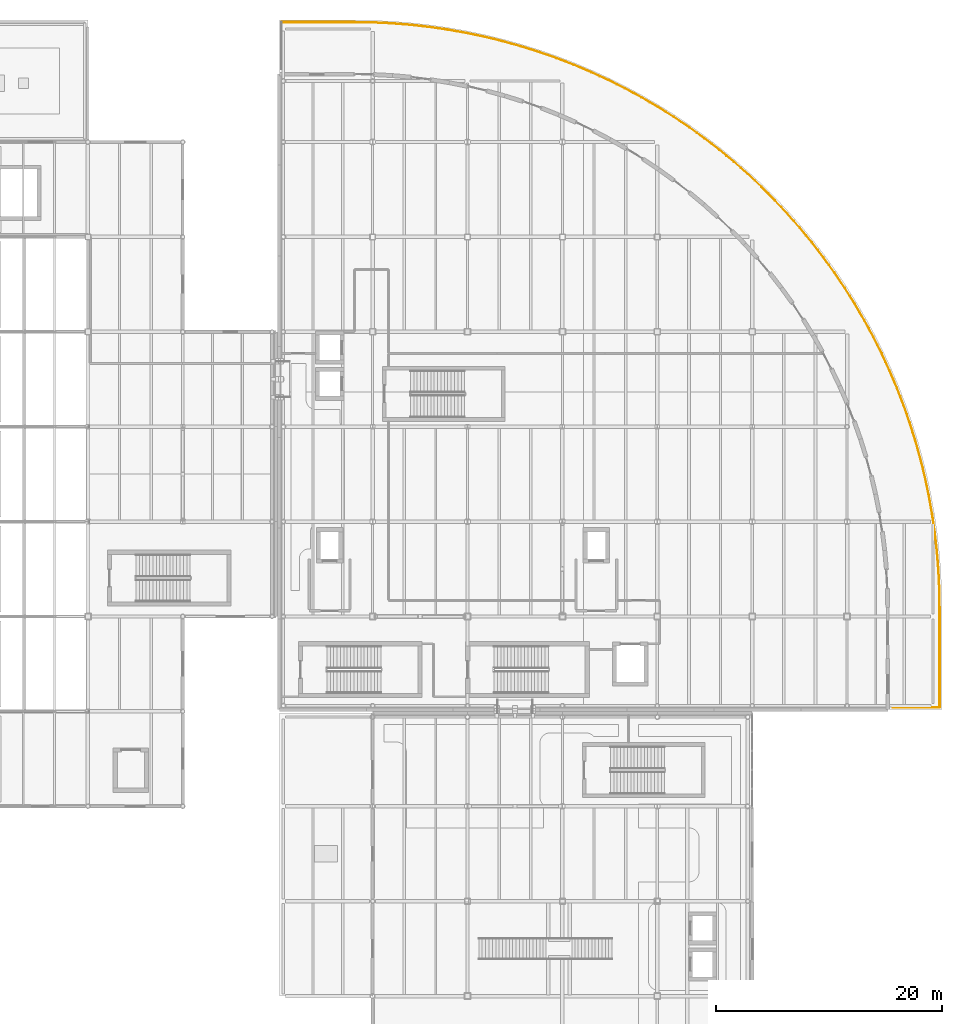
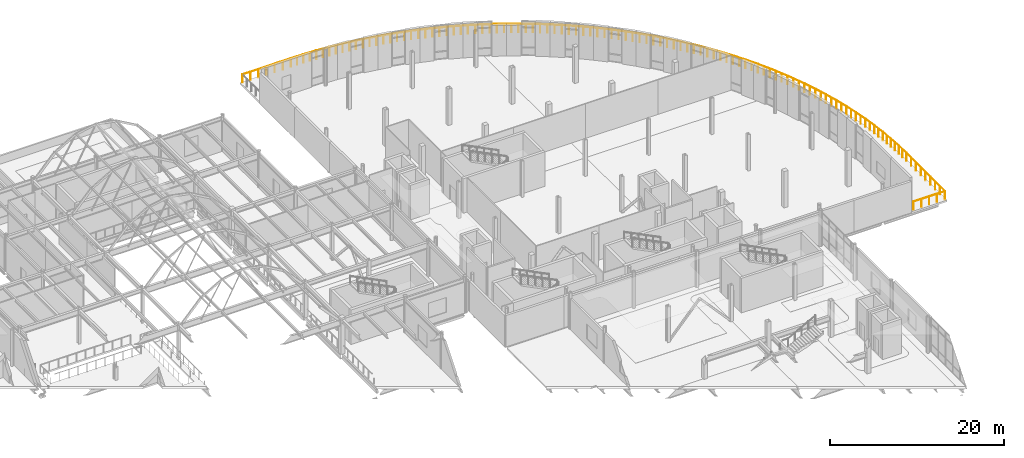
# One storey, part 101 of 103: 1 railing.
"""IFC4 building model written with IfcOpenShell, lengths in metres."""

from ifc_helpers import new_model, si_unit, direction, frame, origin, origin_2d, place, context, subcontext, project, spatial, circle, extrude, material, type_object, element, save


model = new_model("IFC4")

# Units and contexts
model_context = context("Model", 3, precision=1e-05, world=origin(), true_north=direction((0.0, 1.0)))
body_context = subcontext(model_context, "Body", "Model", "MODEL_VIEW")
ifc_project = project(units=[si_unit("LENGTHUNIT", "METRE"), si_unit("AREAUNIT", "SQUARE_METRE"), si_unit("VOLUMEUNIT", "CUBIC_METRE"), si_unit("PLANEANGLEUNIT", "RADIAN"), si_unit("MASSUNIT", "GRAM", prefix="KILO"), si_unit("THERMODYNAMICTEMPERATUREUNIT", "KELVIN")], contexts=[model_context])

# Site, building, storey
site_placement = place(None, origin())
site = spatial("IfcSite", under=ifc_project, at=site_placement, CompositionType="ELEMENT")
building_placement = place(site_placement, origin())
building = spatial("IfcBuilding", under=site, at=building_placement, Name="Lustrewick Department Store", CompositionType="ELEMENT")
storey_placement = place(building_placement, frame((0.0, 0.0, 16.5)))
storey = spatial("IfcBuildingStorey", under=building, at=storey_placement, Name="L04", CompositionType="ELEMENT", Elevation=16.5)

# Railing
ifc_material = material(Name="Laminated glass and anodized aluminium guardrail", Category="aluminium")
railing_type = type_object("IfcRailingType", Name="RL-EXT", PredefinedType="GUARDRAIL", material=ifc_material)
railing_placement = place(storey_placement, frame((109.550048828125, 111.39990234375, 0.0)))
element("IfcRailing", 1, at=railing_placement, inside=storey, type_object=railing_type, Name="L04 Terrace Perimeter Guardrail 0012", PredefinedType="GUARDRAIL", context=body_context, shape_type="SweptSolid", body=[
    extrude(circle(Radius=0.02392578125, at=origin_2d()), frame((0.0, 0.0, 1.17578125), z_axis=(1.0, 0.0, 0.0), x_axis=(0.0, 1.0, 0.0)), (0.0, 0.0, 1.0), 6.4482421875),
    extrude(circle(Radius=0.02392578125, at=origin_2d()), frame((6.4482421875, 0.0, 1.17578125), z_axis=(0.999871855367, -0.016008524124, 0.0), x_axis=(0.016008524124, 0.999871855367, 0.0)), (0.0, 0.0, 1.0), 1.662353515625),
    extrude(circle(Radius=0.02392578125, at=origin_2d()), frame((8.1103515625, -0.026611328125, 1.17578125), z_axis=(0.99885043747, -0.047935410366, 0.0), x_axis=(0.047935410366, 0.99885043747, 0.0)), (0.0, 0.0, 1.0), 1.660400390625),
    extrude(circle(Radius=0.02392578125, at=origin_2d()), frame((9.768798828125, -0.106201171875, 1.17578125), z_axis=(0.996784820812, -0.080125033531, 0.0), x_axis=(0.080125033531, 0.996784820812, 0.0)), (0.0, 0.0, 1.0), 1.66064453125),
    extrude(circle(Radius=0.02392578125, at=origin_2d()), frame((11.424072265625, -0.2392578125, 1.17578125), z_axis=(0.993703106081, -0.112045245166, 0.0), x_axis=(0.112045245166, 0.993703106081, 0.0)), (0.0, 0.0, 1.0), 1.660400390625),
    extrude(circle(Radius=0.02392578125, at=origin_2d()), frame((13.073974609375, -0.42529296875, 1.17578125), z_axis=(0.989629422316, -0.14364402698, 0.0), x_axis=(0.14364402698, 0.989629422316, 0.0)), (0.0, 0.0, 1.0), 1.66064453125),
    extrude(circle(Radius=0.02392578125, at=origin_2d()), frame((14.71728515625, -0.663818359375, 1.17578125), z_axis=(0.984496560695, -0.175403882454, 0.0), x_axis=(0.175403882454, 0.984496560695, 0.0)), (0.0, 0.0, 1.0), 1.660400390625),
    extrude(circle(Radius=0.02392578125, at=origin_2d()), frame((16.35205078125, -0.955078125, 1.17578125), z_axis=(0.978366875449, -0.206877396116, 0.0), x_axis=(0.206877396116, 0.978366875449, 0.0)), (0.0, 0.0, 1.0), 1.660400390625),
    extrude(circle(Radius=0.02392578125, at=origin_2d()), frame((17.9765625, -1.298583984375, 1.17578125), z_axis=(0.971222395331, -0.238174429373, 0.0), x_axis=(0.238174429373, 0.971222395331, 0.0)), (0.0, 0.0, 1.0), 1.66064453125),
    extrude(circle(Radius=0.02392578125, at=origin_2d()), frame((19.58935546875, -1.694091796875, 1.17578125), z_axis=(0.963078462978, -0.269220864994, 0.0), x_axis=(0.269220864994, 0.963078462978, 0.0)), (0.0, 0.0, 1.0), 1.660400390625),
    extrude(circle(Radius=0.02392578125, at=origin_2d()), frame((21.1884765625, -2.14111328125, 1.17578125), z_axis=(0.953997321832, -0.299815126266, 0.0), x_axis=(0.299815126266, 0.953997321832, 0.0)), (0.0, 0.0, 1.0), 1.660400390625),
    extrude(circle(Radius=0.02392578125, at=origin_2d()), frame((22.7724609375, -2.638916015625, 1.17578125), z_axis=(0.943904190441, -0.33021944108, 0.0), x_axis=(0.33021944108, 0.943904190441, 0.0)), (0.0, 0.0, 1.0), 1.66064453125),
    extrude(circle(Radius=0.02392578125, at=origin_2d()), frame((24.33984375, -3.187255859375, 1.17578125), z_axis=(0.932802628048, -0.360387648383, 0.0), x_axis=(0.360387648383, 0.932802628048, 0.0)), (0.0, 0.0, 1.0), 1.660400390625),
    extrude(circle(Radius=0.02392578125, at=origin_2d()), frame((25.888671875, -3.78564453125, 1.17578125), z_axis=(0.920794682849, -0.39004762791, 0.0), x_axis=(0.39004762791, 0.920794682849, 0.0)), (0.0, 0.0, 1.0), 1.66064453125),
    extrude(circle(Radius=0.02392578125, at=origin_2d()), frame((27.417724609375, -4.433349609375, 1.17578125), z_axis=(0.907821620466, -0.419356537345, 0.0), x_axis=(0.419356537345, 0.907821620466, 0.0)), (0.0, 0.0, 1.0), 1.660400390625),
    extrude(circle(Radius=0.02392578125, at=origin_2d()), frame((28.925048828125, -5.129638671875, 1.17578125), z_axis=(0.893897283304, -0.448271844868, 0.0), x_axis=(0.448271844868, 0.893897283304, 0.0)), (0.0, 0.0, 1.0), 1.66064453125),
    extrude(circle(Radius=0.02392578125, at=origin_2d()), frame((30.409423828125, -5.8740234375, 1.17578125), z_axis=(0.879084069243, -0.476666759071, 0.0), x_axis=(0.476666759071, 0.879084069243, 0.0)), (0.0, 0.0, 1.0), 1.660400390625),
    extrude(circle(Radius=0.02392578125, at=origin_2d()), frame((31.869140625, -6.66552734375, 1.17578125), z_axis=(0.863287924687, -0.504711758422, 0.0), x_axis=(0.504711758422, 0.863287924687, 0.0)), (0.0, 0.0, 1.0), 1.66064453125),
    extrude(circle(Radius=0.02392578125, at=origin_2d()), frame((33.302734375, -7.503662109375, 1.17578125), z_axis=(0.846765232428, -0.531966766961, 0.0), x_axis=(0.531966766961, 0.846765232428, 0.0)), (0.0, 0.0, 1.0), 1.660400390625),
    extrude(circle(Radius=0.02392578125, at=origin_2d()), frame((34.708740234375, -8.386962890625, 1.17578125), z_axis=(0.829257539656, -0.558866650396, 0.0), x_axis=(0.558866650396, 0.829257539656, 0.0)), (0.0, 0.0, 1.0), 1.660400390625),
    extrude(circle(Radius=0.02392578125, at=origin_2d()), frame((36.085693359375, -9.31494140625, 1.17578125), z_axis=(0.810892418643, -0.585195254071, 0.0), x_axis=(0.585195254071, 0.810892418643, 0.0)), (0.0, 0.0, 1.0), 1.660400390625),
    extrude(circle(Radius=0.02392578125, at=origin_2d()), frame((37.43212890625, -10.28662109375, 1.17578125), z_axis=(0.791721305359, -0.610882455667, 0.0), x_axis=(0.610882455667, 0.791721305359, 0.0)), (0.0, 0.0, 1.0), 1.66064453125),
    extrude(circle(Radius=0.02392578125, at=origin_2d()), frame((38.746826171875, -11.301025390625, 1.17578125), z_axis=(0.771705219783, -0.635980387874, 0.0), x_axis=(0.635980387874, 0.771705219783, 0.0)), (0.0, 0.0, 1.0), 1.660400390625),
    extrude(circle(Radius=0.02392578125, at=origin_2d()), frame((40.028076171875, -12.35693359375, 1.17578125), z_axis=(0.750935118811, -0.66037598937, 0.0), x_axis=(0.66037598937, 0.750935118811, 0.0)), (0.0, 0.0, 1.0), 1.66064453125),
    extrude(circle(Radius=0.02392578125, at=origin_2d()), frame((41.275146484375, -13.45361328125, 1.17578125), z_axis=(0.729459247465, -0.684024273172, 0.0), x_axis=(0.684024273172, 0.729459247465, 0.0)), (0.0, 0.0, 1.0), 1.660400390625),
    extrude(circle(Radius=0.02392578125, at=origin_2d()), frame((42.486328125, -14.58935546875, 1.17578125), z_axis=(0.707033265901, -0.70718028883, 0.0), x_axis=(0.70718028883, 0.707033265901, 0.0)), (0.0, 0.0, 1.0), 1.66064453125),
    extrude(circle(Radius=0.02392578125, at=origin_2d()), frame((43.660400390625, -15.763671875, 1.17578125), z_axis=(0.684102502276, -0.729385883041, 0.0), x_axis=(0.729385883041, 0.684102502276, 0.0)), (0.0, 0.0, 1.0), 1.66064453125),
    extrude(circle(Radius=0.02392578125, at=origin_2d()), frame((44.79638671875, -16.974853515625, 1.17578125), z_axis=(0.660365989857, -0.750943912313, 0.0), x_axis=(0.750943912313, 0.660365989857, 0.0)), (0.0, 0.0, 1.0), 1.660400390625),
    extrude(circle(Radius=0.02392578125, at=origin_2d()), frame((45.892822265625, -18.2216796875, 1.17578125), z_axis=(0.635908223936, -0.771764686113, 0.0), x_axis=(0.771764686113, 0.635908223936, 0.0)), (0.0, 0.0, 1.0), 1.660400390625),
    extrude(circle(Radius=0.02392578125, at=origin_2d()), frame((46.94873046875, -19.503173828125, 1.17578125), z_axis=(0.610882455667, -0.791721305359, 0.0), x_axis=(0.791721305359, 0.610882455667, 0.0)), (0.0, 0.0, 1.0), 1.66064453125),
    extrude(circle(Radius=0.02392578125, at=origin_2d()), frame((47.963134765625, -20.81787109375, 1.17578125), z_axis=(0.585195254071, -0.810892418643, 0.0), x_axis=(0.810892418643, 0.585195254071, 0.0)), (0.0, 0.0, 1.0), 1.660400390625),
    extrude(circle(Radius=0.02392578125, at=origin_2d()), frame((48.934814453125, -22.164306640625, 1.17578125), z_axis=(0.558967746787, -0.829189398179, 0.0), x_axis=(0.829189398179, 0.558967746787, 0.0)), (0.0, 0.0, 1.0), 1.66064453125),
    extrude(circle(Radius=0.02392578125, at=origin_2d()), frame((49.863037109375, -23.541259765625, 1.17578125), z_axis=(0.531966766961, -0.846765232428, 0.0), x_axis=(0.846765232428, 0.531966766961, 0.0)), (0.0, 0.0, 1.0), 1.660400390625),
    extrude(circle(Radius=0.02392578125, at=origin_2d()), frame((50.746337890625, -24.947265625, 1.17578125), z_axis=(0.504602178928, -0.863351979798, 0.0), x_axis=(0.863351979798, 0.504602178928, 0.0)), (0.0, 0.0, 1.0), 1.660400390625),
    extrude(circle(Radius=0.02392578125, at=origin_2d()), frame((51.584228515625, -26.380859375, 1.17578125), z_axis=(0.476728375286, -0.879050656218, 0.0), x_axis=(0.879050656218, 0.476728375286, 0.0)), (0.0, 0.0, 1.0), 1.660400390625),
    extrude(circle(Radius=0.02392578125, at=origin_2d()), frame((52.375732421875, -27.84033203125, 1.17578125), z_axis=(0.448271844868, -0.893897283304, 0.0), x_axis=(0.893897283304, 0.448271844868, 0.0)), (0.0, 0.0, 1.0), 1.66064453125),
    extrude(circle(Radius=0.02392578125, at=origin_2d()), frame((53.1201171875, -29.32470703125, 1.17578125), z_axis=(0.419421726597, -0.907791504289, 0.0), x_axis=(0.907791504289, 0.419421726597, 0.0)), (0.0, 0.0, 1.0), 1.66064453125),
    extrude(circle(Radius=0.02392578125, at=origin_2d()), frame((53.816650390625, -30.832275390625, 1.17578125), z_axis=(0.390100437689, -0.920772310897, 0.0), x_axis=(0.920772310897, 0.390100437689, 0.0)), (0.0, 0.0, 1.0), 1.660400390625),
    extrude(circle(Radius=0.02392578125, at=origin_2d()), frame((54.46435546875, -32.361083984375, 1.17578125), z_axis=(0.360387648383, -0.932802628048, 0.0), x_axis=(0.932802628048, 0.360387648383, 0.0)), (0.0, 0.0, 1.0), 1.660400390625),
    extrude(circle(Radius=0.02392578125, at=origin_2d()), frame((55.062744140625, -33.909912109375, 1.17578125), z_axis=(0.33021944108, -0.943904190441, 0.0), x_axis=(0.943904190441, 0.33021944108, 0.0)), (0.0, 0.0, 1.0), 1.66064453125),
    extrude(circle(Radius=0.02392578125, at=origin_2d()), frame((55.611083984375, -35.477294921875, 1.17578125), z_axis=(0.299773074998, -0.954010536371, 0.0), x_axis=(0.954010536371, 0.299773074998, 0.0)), (0.0, 0.0, 1.0), 1.66064453125),
    extrude(circle(Radius=0.02392578125, at=origin_2d()), frame((56.10888671875, -37.0615234375, 1.17578125), z_axis=(0.269084479087, -0.963116578154, 0.0), x_axis=(0.963116578154, 0.269084479087, 0.0)), (0.0, 0.0, 1.0), 1.660400390625),
    extrude(circle(Radius=0.02392578125, at=origin_2d()), frame((56.5556640625, -38.66064453125, 1.17578125), z_axis=(0.23820844309, -0.971214053461, 0.0), x_axis=(0.971214053461, 0.23820844309, 0.0)), (0.0, 0.0, 1.0), 1.660400390625),
    extrude(circle(Radius=0.02392578125, at=origin_2d()), frame((56.951171875, -40.273193359375, 1.17578125), z_axis=(0.206847640246, -0.978373166907, 0.0), x_axis=(0.978373166907, 0.206847640246, 0.0)), (0.0, 0.0, 1.0), 1.66064453125),
    extrude(circle(Radius=0.02392578125, at=origin_2d()), frame((57.294677734375, -41.89794921875, 1.17578125), z_axis=(0.175403882454, -0.984496560695, 0.0), x_axis=(0.984496560695, 0.175403882454, 0.0)), (0.0, 0.0, 1.0), 1.660400390625),
    extrude(circle(Radius=0.02392578125, at=origin_2d()), frame((57.5859375, -43.53271484375, 1.17578125), z_axis=(0.143808937775, -0.989605471598, 0.0), x_axis=(0.989605471598, 0.143808937775, 0.0)), (0.0, 0.0, 1.0), 1.660400390625),
    extrude(circle(Radius=0.02392578125, at=origin_2d()), frame((57.82470703125, -45.17578125, 1.17578125), z_axis=(0.111883698097, -0.993721308064, 0.0), x_axis=(0.993721308064, 0.111883698097, 0.0)), (0.0, 0.0, 1.0), 1.66064453125),
    extrude(circle(Radius=0.02392578125, at=origin_2d()), frame((58.010498046875, -46.825927734375, 1.17578125), z_axis=(0.080136777227, -0.996783876743, 0.0), x_axis=(0.996783876743, 0.080136777227, 0.0)), (0.0, 0.0, 1.0), 1.660400390625),
    extrude(circle(Radius=0.02392578125, at=origin_2d()), frame((58.1435546875, -48.48095703125, 1.17578125), z_axis=(0.048075051292, -0.998843726237, 0.0), x_axis=(0.998843726237, 0.048075051292, 0.0)), (0.0, 0.0, 1.0), 1.66064453125),
    extrude(circle(Radius=0.02392578125, at=origin_2d()), frame((58.223388671875, -50.1396484375, 1.17578125), z_axis=(0.016010875295, -0.999871817721, 0.0), x_axis=(0.999871817721, 0.016010875295, 0.0)), (0.0, 0.0, 1.0), 1.662109375),
    extrude(circle(Radius=0.02392578125, at=origin_2d()), frame((58.25, -51.801513671875, 1.17578125), z_axis=(0.0, -1.0, 0.0), x_axis=(1.0, 0.0, 0.0)), (0.0, 0.0, 1.0), 8.848388671875),
    extrude(circle(Radius=0.02392578125, at=origin_2d()), frame((58.25, -60.64990234375, 1.17578125), z_axis=(-1.0, 0.0, 0.0), x_axis=(0.0, -1.0, 0.0)), (0.0, 0.0, 1.0), 4.150146484375),
    extrude(circle(Radius=0.02099609375, at=origin_2d()), origin(), (0.0, 0.0, 1.0), 1.15185546875),
    extrude(circle(Radius=0.02099609375, at=origin_2d()), frame((1.07470703125, 0.0, 0.0)), (0.0, 0.0, 1.0), 1.15185546875),
    extrude(circle(Radius=0.02099609375, at=origin_2d()), frame((2.1494140625, 0.0, 0.0)), (0.0, 0.0, 1.0), 1.15185546875),
    extrude(circle(Radius=0.02099609375, at=origin_2d()), frame((3.22412109375, 0.0, 0.0)), (0.0, 0.0, 1.0), 1.15185546875),
    extrude(circle(Radius=0.02099609375, at=origin_2d()), frame((4.298828125, 0.0, 0.0)), (0.0, 0.0, 1.0), 1.15185546875),
    extrude(circle(Radius=0.02099609375, at=origin_2d()), frame((5.37353515625, 0.0, 0.0)), (0.0, 0.0, 1.0), 1.15185546875),
    extrude(circle(Radius=0.02099609375, at=origin_2d()), frame((6.4482421875, 0.0, 0.0)), (0.0, 0.0, 1.0), 1.15185546875),
    extrude(circle(Radius=0.02099609375, at=origin_2d()), frame((7.279296875, -0.01318359375, 0.0)), (0.0, 0.0, 1.0), 1.15185546875),
    extrude(circle(Radius=0.02099609375, at=origin_2d()), frame((8.1103515625, -0.026611328125, 0.0)), (0.0, 0.0, 1.0), 1.15185546875),
    extrude(circle(Radius=0.02099609375, at=origin_2d()), frame((8.939453125, -0.06640625, 0.0)), (0.0, 0.0, 1.0), 1.15185546875),
    extrude(circle(Radius=0.02099609375, at=origin_2d()), frame((9.768798828125, -0.106201171875, 0.0)), (0.0, 0.0, 1.0), 1.15185546875),
    extrude(circle(Radius=0.02099609375, at=origin_2d()), frame((10.596435546875, -0.1728515625, 0.0)), (0.0, 0.0, 1.0), 1.15185546875),
    extrude(circle(Radius=0.02099609375, at=origin_2d()), frame((11.424072265625, -0.2392578125, 0.0)), (0.0, 0.0, 1.0), 1.15185546875),
    extrude(circle(Radius=0.02099609375, at=origin_2d()), frame((12.2490234375, -0.332275390625, 0.0)), (0.0, 0.0, 1.0), 1.15185546875),
    extrude(circle(Radius=0.02099609375, at=origin_2d()), frame((13.073974609375, -0.42529296875, 0.0)), (0.0, 0.0, 1.0), 1.15185546875),
    extrude(circle(Radius=0.02099609375, at=origin_2d()), frame((13.8955078125, -0.54443359375, 0.0)), (0.0, 0.0, 1.0), 1.15185546875),
    extrude(circle(Radius=0.02099609375, at=origin_2d()), frame((14.71728515625, -0.663818359375, 0.0)), (0.0, 0.0, 1.0), 1.15185546875),
    extrude(circle(Radius=0.02099609375, at=origin_2d()), frame((15.53466796875, -0.8095703125, 0.0)), (0.0, 0.0, 1.0), 1.15185546875),
    extrude(circle(Radius=0.02099609375, at=origin_2d()), frame((16.35205078125, -0.955078125, 0.0)), (0.0, 0.0, 1.0), 1.15185546875),
    extrude(circle(Radius=0.02099609375, at=origin_2d()), frame((17.164306640625, -1.126953125, 0.0)), (0.0, 0.0, 1.0), 1.15185546875),
    extrude(circle(Radius=0.02099609375, at=origin_2d()), frame((17.9765625, -1.298583984375, 0.0)), (0.0, 0.0, 1.0), 1.15185546875),
    extrude(circle(Radius=0.02099609375, at=origin_2d()), frame((18.782958984375, -1.496337890625, 0.0)), (0.0, 0.0, 1.0), 1.15185546875),
    extrude(circle(Radius=0.02099609375, at=origin_2d()), frame((19.58935546875, -1.694091796875, 0.0)), (0.0, 0.0, 1.0), 1.15185546875),
    extrude(circle(Radius=0.02099609375, at=origin_2d()), frame((20.388916015625, -1.91748046875, 0.0)), (0.0, 0.0, 1.0), 1.15185546875),
    extrude(circle(Radius=0.02099609375, at=origin_2d()), frame((21.1884765625, -2.14111328125, 0.0)), (0.0, 0.0, 1.0), 1.15185546875),
    extrude(circle(Radius=0.02099609375, at=origin_2d()), frame((21.98046875, -2.39013671875, 0.0)), (0.0, 0.0, 1.0), 1.15185546875),
    extrude(circle(Radius=0.02099609375, at=origin_2d()), frame((22.7724609375, -2.638916015625, 0.0)), (0.0, 0.0, 1.0), 1.15185546875),
    extrude(circle(Radius=0.02099609375, at=origin_2d()), frame((23.55615234375, -2.9130859375, 0.0)), (0.0, 0.0, 1.0), 1.15185546875),
    extrude(circle(Radius=0.02099609375, at=origin_2d()), frame((24.33984375, -3.187255859375, 0.0)), (0.0, 0.0, 1.0), 1.15185546875),
    extrude(circle(Radius=0.02099609375, at=origin_2d()), frame((25.1142578125, -3.486328125, 0.0)), (0.0, 0.0, 1.0), 1.15185546875),
    extrude(circle(Radius=0.02099609375, at=origin_2d()), frame((25.888671875, -3.78564453125, 0.0)), (0.0, 0.0, 1.0), 1.15185546875),
    extrude(circle(Radius=0.02099609375, at=origin_2d()), frame((26.6533203125, -4.109375, 0.0)), (0.0, 0.0, 1.0), 1.15185546875),
    extrude(circle(Radius=0.02099609375, at=origin_2d()), frame((27.417724609375, -4.433349609375, 0.0)), (0.0, 0.0, 1.0), 1.15185546875),
    extrude(circle(Radius=0.02099609375, at=origin_2d()), frame((28.17138671875, -4.781494140625, 0.0)), (0.0, 0.0, 1.0), 1.15185546875),
    extrude(circle(Radius=0.02099609375, at=origin_2d()), frame((28.925048828125, -5.129638671875, 0.0)), (0.0, 0.0, 1.0), 1.15185546875),
    extrude(circle(Radius=0.02099609375, at=origin_2d()), frame((29.667236328125, -5.501953125, 0.0)), (0.0, 0.0, 1.0), 1.15185546875),
    extrude(circle(Radius=0.02099609375, at=origin_2d()), frame((30.409423828125, -5.8740234375, 0.0)), (0.0, 0.0, 1.0), 1.15185546875),
    extrude(circle(Radius=0.02099609375, at=origin_2d()), frame((31.13916015625, -6.269775390625, 0.0)), (0.0, 0.0, 1.0), 1.15185546875),
    extrude(circle(Radius=0.02099609375, at=origin_2d()), frame((31.869140625, -6.66552734375, 0.0)), (0.0, 0.0, 1.0), 1.15185546875),
    extrude(circle(Radius=0.02099609375, at=origin_2d()), frame((32.5859375, -7.08447265625, 0.0)), (0.0, 0.0, 1.0), 1.15185546875),
    extrude(circle(Radius=0.02099609375, at=origin_2d()), frame((33.302734375, -7.503662109375, 0.0)), (0.0, 0.0, 1.0), 1.15185546875),
    extrude(circle(Radius=0.02099609375, at=origin_2d()), frame((34.005859375, -7.9453125, 0.0)), (0.0, 0.0, 1.0), 1.15185546875),
    extrude(circle(Radius=0.02099609375, at=origin_2d()), frame((34.708740234375, -8.386962890625, 0.0)), (0.0, 0.0, 1.0), 1.15185546875),
    extrude(circle(Radius=0.02099609375, at=origin_2d()), frame((35.397216796875, -8.85107421875, 0.0)), (0.0, 0.0, 1.0), 1.15185546875),
    extrude(circle(Radius=0.02099609375, at=origin_2d()), frame((36.085693359375, -9.31494140625, 0.0)), (0.0, 0.0, 1.0), 1.15185546875),
    extrude(circle(Radius=0.02099609375, at=origin_2d()), frame((36.7587890625, -9.80078125, 0.0)), (0.0, 0.0, 1.0), 1.15185546875),
    extrude(circle(Radius=0.02099609375, at=origin_2d()), frame((37.43212890625, -10.28662109375, 0.0)), (0.0, 0.0, 1.0), 1.15185546875),
    extrude(circle(Radius=0.02099609375, at=origin_2d()), frame((38.08935546875, -10.7939453125, 0.0)), (0.0, 0.0, 1.0), 1.15185546875),
    extrude(circle(Radius=0.02099609375, at=origin_2d()), frame((38.746826171875, -11.301025390625, 0.0)), (0.0, 0.0, 1.0), 1.15185546875),
    extrude(circle(Radius=0.02099609375, at=origin_2d()), frame((39.387451171875, -11.8291015625, 0.0)), (0.0, 0.0, 1.0), 1.15185546875),
    extrude(circle(Radius=0.02099609375, at=origin_2d()), frame((40.028076171875, -12.35693359375, 0.0)), (0.0, 0.0, 1.0), 1.15185546875),
    extrude(circle(Radius=0.02099609375, at=origin_2d()), frame((40.651611328125, -12.9052734375, 0.0)), (0.0, 0.0, 1.0), 1.15185546875),
    extrude(circle(Radius=0.02099609375, at=origin_2d()), frame((41.275146484375, -13.45361328125, 0.0)), (0.0, 0.0, 1.0), 1.15185546875),
    extrude(circle(Radius=0.02099609375, at=origin_2d()), frame((41.880859375, -14.021484375, 0.0)), (0.0, 0.0, 1.0), 1.15185546875),
    extrude(circle(Radius=0.02099609375, at=origin_2d()), frame((42.486328125, -14.58935546875, 0.0)), (0.0, 0.0, 1.0), 1.15185546875),
    extrude(circle(Radius=0.02099609375, at=origin_2d()), frame((43.0732421875, -15.176513671875, 0.0)), (0.0, 0.0, 1.0), 1.15185546875),
    extrude(circle(Radius=0.02099609375, at=origin_2d()), frame((43.660400390625, -15.763671875, 0.0)), (0.0, 0.0, 1.0), 1.15185546875),
    extrude(circle(Radius=0.02099609375, at=origin_2d()), frame((44.228515625, -16.369140625, 0.0)), (0.0, 0.0, 1.0), 1.15185546875),
    extrude(circle(Radius=0.02099609375, at=origin_2d()), frame((44.79638671875, -16.974853515625, 0.0)), (0.0, 0.0, 1.0), 1.15185546875),
    extrude(circle(Radius=0.02099609375, at=origin_2d()), frame((45.3447265625, -17.59814453125, 0.0)), (0.0, 0.0, 1.0), 1.15185546875),
    extrude(circle(Radius=0.02099609375, at=origin_2d()), frame((45.892822265625, -18.2216796875, 0.0)), (0.0, 0.0, 1.0), 1.15185546875),
    extrude(circle(Radius=0.02099609375, at=origin_2d()), frame((46.4208984375, -18.8623046875, 0.0)), (0.0, 0.0, 1.0), 1.15185546875),
    extrude(circle(Radius=0.02099609375, at=origin_2d()), frame((46.94873046875, -19.503173828125, 0.0)), (0.0, 0.0, 1.0), 1.15185546875),
    extrude(circle(Radius=0.02099609375, at=origin_2d()), frame((47.4560546875, -20.16064453125, 0.0)), (0.0, 0.0, 1.0), 1.15185546875),
    extrude(circle(Radius=0.02099609375, at=origin_2d()), frame((47.963134765625, -20.81787109375, 0.0)), (0.0, 0.0, 1.0), 1.15185546875),
    extrude(circle(Radius=0.02099609375, at=origin_2d()), frame((48.448974609375, -21.4912109375, 0.0)), (0.0, 0.0, 1.0), 1.15185546875),
    extrude(circle(Radius=0.02099609375, at=origin_2d()), frame((48.934814453125, -22.164306640625, 0.0)), (0.0, 0.0, 1.0), 1.15185546875),
    extrude(circle(Radius=0.02099609375, at=origin_2d()), frame((49.39892578125, -22.852783203125, 0.0)), (0.0, 0.0, 1.0), 1.15185546875),
    extrude(circle(Radius=0.02099609375, at=origin_2d()), frame((49.863037109375, -23.541259765625, 0.0)), (0.0, 0.0, 1.0), 1.15185546875),
    extrude(circle(Radius=0.02099609375, at=origin_2d()), frame((50.3046875, -24.244140625, 0.0)), (0.0, 0.0, 1.0), 1.15185546875),
    extrude(circle(Radius=0.02099609375, at=origin_2d()), frame((50.746337890625, -24.947265625, 0.0)), (0.0, 0.0, 1.0), 1.15185546875),
    extrude(circle(Radius=0.02099609375, at=origin_2d()), frame((51.165283203125, -25.6640625, 0.0)), (0.0, 0.0, 1.0), 1.15185546875),
    extrude(circle(Radius=0.02099609375, at=origin_2d()), frame((51.584228515625, -26.380859375, 0.0)), (0.0, 0.0, 1.0), 1.15185546875),
    extrude(circle(Radius=0.02099609375, at=origin_2d()), frame((51.97998046875, -27.110595703125, 0.0)), (0.0, 0.0, 1.0), 1.15185546875),
    extrude(circle(Radius=0.02099609375, at=origin_2d()), frame((52.375732421875, -27.84033203125, 0.0)), (0.0, 0.0, 1.0), 1.15185546875),
    extrude(circle(Radius=0.02099609375, at=origin_2d()), frame((52.748046875, -28.58251953125, 0.0)), (0.0, 0.0, 1.0), 1.15185546875),
    extrude(circle(Radius=0.02099609375, at=origin_2d()), frame((53.1201171875, -29.32470703125, 0.0)), (0.0, 0.0, 1.0), 1.15185546875),
    extrude(circle(Radius=0.02099609375, at=origin_2d()), frame((53.46826171875, -30.07861328125, 0.0)), (0.0, 0.0, 1.0), 1.15185546875),
    extrude(circle(Radius=0.02099609375, at=origin_2d()), frame((53.816650390625, -30.832275390625, 0.0)), (0.0, 0.0, 1.0), 1.15185546875),
    extrude(circle(Radius=0.02099609375, at=origin_2d()), frame((54.140625, -31.5966796875, 0.0)), (0.0, 0.0, 1.0), 1.15185546875),
    extrude(circle(Radius=0.02099609375, at=origin_2d()), frame((54.46435546875, -32.361083984375, 0.0)), (0.0, 0.0, 1.0), 1.15185546875),
    extrude(circle(Radius=0.02099609375, at=origin_2d()), frame((54.763671875, -33.135498046875, 0.0)), (0.0, 0.0, 1.0), 1.15185546875),
    extrude(circle(Radius=0.02099609375, at=origin_2d()), frame((55.062744140625, -33.909912109375, 0.0)), (0.0, 0.0, 1.0), 1.15185546875),
    extrude(circle(Radius=0.02099609375, at=origin_2d()), frame((55.3369140625, -34.693603515625, 0.0)), (0.0, 0.0, 1.0), 1.15185546875),
    extrude(circle(Radius=0.02099609375, at=origin_2d()), frame((55.611083984375, -35.477294921875, 0.0)), (0.0, 0.0, 1.0), 1.15185546875),
    extrude(circle(Radius=0.02099609375, at=origin_2d()), frame((55.85986328125, -36.26953125, 0.0)), (0.0, 0.0, 1.0), 1.15185546875),
    extrude(circle(Radius=0.02099609375, at=origin_2d()), frame((56.10888671875, -37.0615234375, 0.0)), (0.0, 0.0, 1.0), 1.15185546875),
    extrude(circle(Radius=0.02099609375, at=origin_2d()), frame((56.332275390625, -37.861083984375, 0.0)), (0.0, 0.0, 1.0), 1.15185546875),
    extrude(circle(Radius=0.02099609375, at=origin_2d()), frame((56.5556640625, -38.66064453125, 0.0)), (0.0, 0.0, 1.0), 1.15185546875),
    extrude(circle(Radius=0.02099609375, at=origin_2d()), frame((56.75341796875, -39.466796875, 0.0)), (0.0, 0.0, 1.0), 1.15185546875),
    extrude(circle(Radius=0.02099609375, at=origin_2d()), frame((56.951171875, -40.273193359375, 0.0)), (0.0, 0.0, 1.0), 1.15185546875),
    extrude(circle(Radius=0.02099609375, at=origin_2d()), frame((57.123046875, -41.08544921875, 0.0)), (0.0, 0.0, 1.0), 1.15185546875),
    extrude(circle(Radius=0.02099609375, at=origin_2d()), frame((57.294677734375, -41.89794921875, 0.0)), (0.0, 0.0, 1.0), 1.15185546875),
    extrude(circle(Radius=0.02099609375, at=origin_2d()), frame((57.4404296875, -42.71533203125, 0.0)), (0.0, 0.0, 1.0), 1.15185546875),
    extrude(circle(Radius=0.02099609375, at=origin_2d()), frame((57.5859375, -43.53271484375, 0.0)), (0.0, 0.0, 1.0), 1.15185546875),
    extrude(circle(Radius=0.02099609375, at=origin_2d()), frame((57.705322265625, -44.354248046875, 0.0)), (0.0, 0.0, 1.0), 1.15185546875),
    extrude(circle(Radius=0.02099609375, at=origin_2d()), frame((57.82470703125, -45.17578125, 0.0)), (0.0, 0.0, 1.0), 1.15185546875),
    extrude(circle(Radius=0.02099609375, at=origin_2d()), frame((57.91748046875, -46.0009765625, 0.0)), (0.0, 0.0, 1.0), 1.15185546875),
    extrude(circle(Radius=0.02099609375, at=origin_2d()), frame((58.010498046875, -46.825927734375, 0.0)), (0.0, 0.0, 1.0), 1.15185546875),
    extrude(circle(Radius=0.02099609375, at=origin_2d()), frame((58.0771484375, -47.6533203125, 0.0)), (0.0, 0.0, 1.0), 1.15185546875),
    extrude(circle(Radius=0.02099609375, at=origin_2d()), frame((58.1435546875, -48.48095703125, 0.0)), (0.0, 0.0, 1.0), 1.15185546875),
    extrude(circle(Radius=0.02099609375, at=origin_2d()), frame((58.18359375, -49.310302734375, 0.0)), (0.0, 0.0, 1.0), 1.15185546875),
    extrude(circle(Radius=0.02099609375, at=origin_2d()), frame((58.223388671875, -50.1396484375, 0.0)), (0.0, 0.0, 1.0), 1.15185546875),
    extrude(circle(Radius=0.02099609375, at=origin_2d()), frame((58.23681640625, -50.970703125, 0.0)), (0.0, 0.0, 1.0), 1.15185546875),
    extrude(circle(Radius=0.02099609375, at=origin_2d()), frame((58.25, -51.801513671875, 0.0)), (0.0, 0.0, 1.0), 1.15185546875),
    extrude(circle(Radius=0.02099609375, at=origin_2d()), frame((58.25, -52.907470703125, 0.0)), (0.0, 0.0, 1.0), 1.15185546875),
    extrude(circle(Radius=0.02099609375, at=origin_2d()), frame((58.25, -54.013671875, 0.0)), (0.0, 0.0, 1.0), 1.15185546875),
    extrude(circle(Radius=0.02099609375, at=origin_2d()), frame((58.25, -55.11962890625, 0.0)), (0.0, 0.0, 1.0), 1.15185546875),
    extrude(circle(Radius=0.02099609375, at=origin_2d()), frame((58.25, -56.2255859375, 0.0)), (0.0, 0.0, 1.0), 1.15185546875),
    extrude(circle(Radius=0.02099609375, at=origin_2d()), frame((58.25, -57.331787109375, 0.0)), (0.0, 0.0, 1.0), 1.15185546875),
    extrude(circle(Radius=0.02099609375, at=origin_2d()), frame((58.25, -58.437744140625, 0.0)), (0.0, 0.0, 1.0), 1.15185546875),
    extrude(circle(Radius=0.02099609375, at=origin_2d()), frame((58.25, -59.5439453125, 0.0)), (0.0, 0.0, 1.0), 1.15185546875),
    extrude(circle(Radius=0.02099609375, at=origin_2d()), frame((58.25, -60.64990234375, 0.0)), (0.0, 0.0, 1.0), 1.15185546875),
    extrude(circle(Radius=0.02099609375, at=origin_2d()), frame((57.21240234375, -60.64990234375, 0.0)), (0.0, 0.0, 1.0), 1.15185546875),
    extrude(circle(Radius=0.02099609375, at=origin_2d()), frame((56.1748046875, -60.64990234375, 0.0)), (0.0, 0.0, 1.0), 1.15185546875),
    extrude(circle(Radius=0.02099609375, at=origin_2d()), frame((55.137451171875, -60.64990234375, 0.0)), (0.0, 0.0, 1.0), 1.15185546875),
    extrude(circle(Radius=0.02099609375, at=origin_2d()), frame((54.099853515625, -60.64990234375, 0.0)), (0.0, 0.0, 1.0), 1.15185546875),
])

save(model, "model.ifc")
